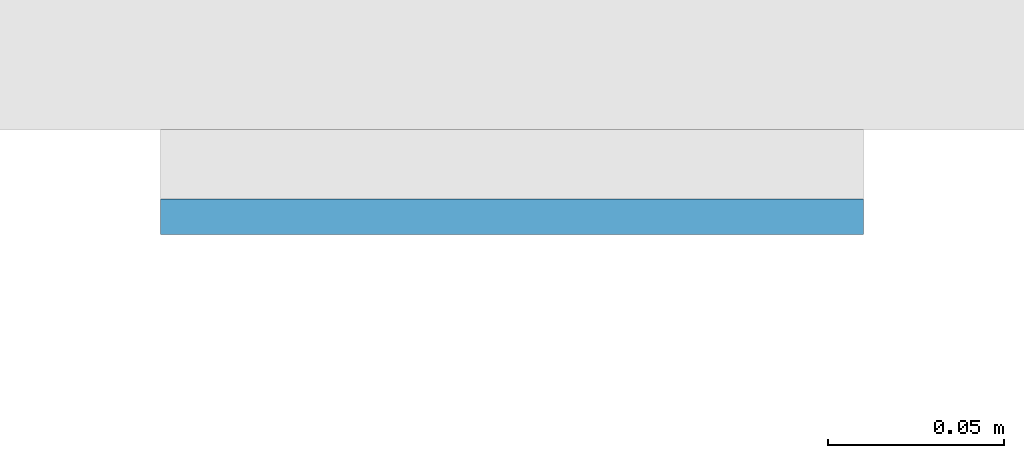
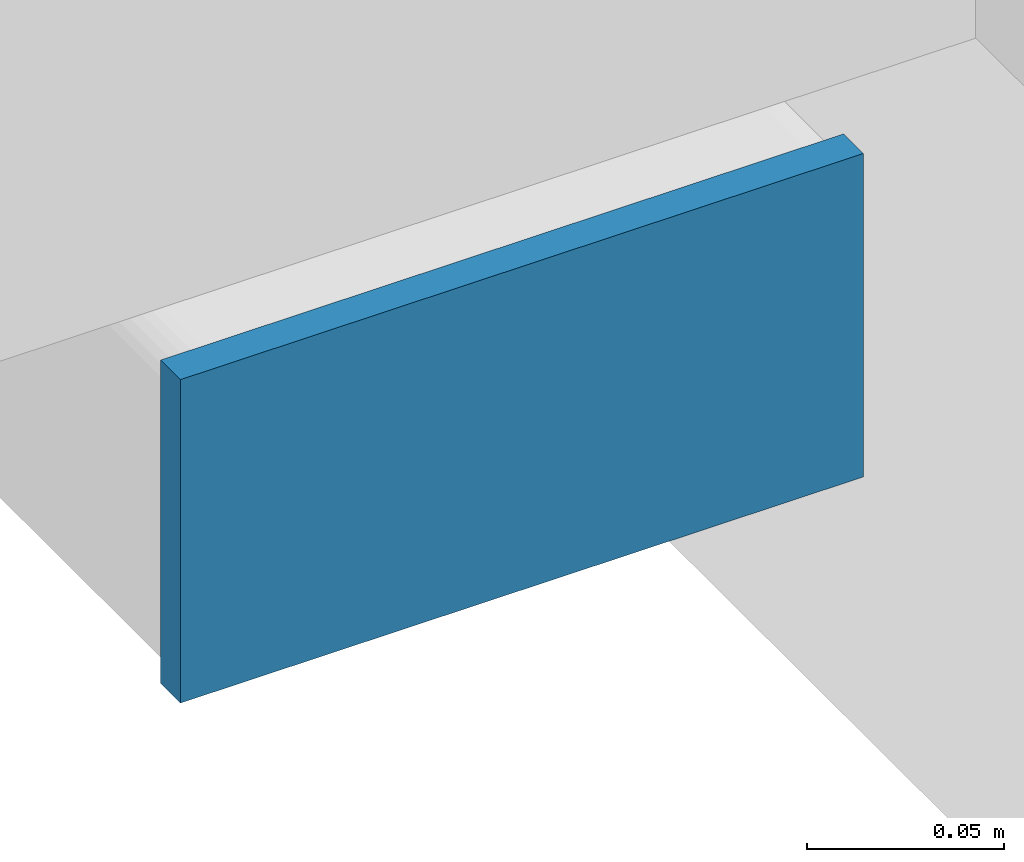
# One storey, part 8 of 20: 1 plate.
"""IFC4 building model written with IfcOpenShell, lengths in metres."""

from ifc_helpers import new_model, si_unit, direction, frame, origin, origin_2d, place, context, subcontext, project, spatial, rectangle, extrude, material, layer, layer_set, type_object, element, save


model = new_model("IFC4")

# Units and contexts
model_context = context("Model", 3, precision=1e-05, world=origin(), true_north=direction((0.0, 1.0)))
body_context = subcontext(model_context, "Body", "Model", "MODEL_VIEW")
ifc_project = project(units=[si_unit("LENGTHUNIT", "METRE"), si_unit("AREAUNIT", "SQUARE_METRE"), si_unit("VOLUMEUNIT", "CUBIC_METRE"), si_unit("PLANEANGLEUNIT", "RADIAN"), si_unit("MASSUNIT", "GRAM", prefix="KILO")], contexts=[model_context])

# Site, building, storey
site_placement = place(None, origin())
site = spatial("IfcSite", under=ifc_project, at=site_placement, CompositionType="ELEMENT")
building_placement = place(site_placement, origin())
building = spatial("IfcBuilding", under=site, at=building_placement, Name="Cleftline Residences", CompositionType="ELEMENT")
storey_placement = place(building_placement, frame((0.0, 0.0, 36.800048828125)))
storey = spatial("IfcBuildingStorey", under=building, at=storey_placement, Name="L08", CompositionType="ELEMENT", Elevation=36.800048828125)

# Plate
ifc_material = material(Name="Steel S355, hot-dip galvanised", Category="steel")
ifc_layer = layer(ifc_material, 0.010009765625)
ifc_layer_set = layer_set([ifc_layer], Name="BAGUETTE CARRIER END PLATE 200X100X10")
plate_type = type_object("IfcPlateType", Name="BAGUETTE CARRIER END PLATE 200X100X10", PredefinedType="USERDEFINED", material=ifc_layer_set)
plate_placement = place(storey_placement, frame((-0.85009765625, 3.695068359375, -0.10009765625), z_axis=(0.0, 0.0, 1.0), x_axis=(-1.0, 0.0, 0.0)))
element("IfcPlate", 1, at=plate_placement, inside=storey, type_object=plate_type, Name="Baguette carrier end plate", ObjectType="BAGUETTE CARRIER END PLATE", PredefinedType="USERDEFINED", context=body_context, shape_type="SweptSolid", body=[
    extrude(rectangle(XDim=0.199951171875, YDim=0.010009765625, at=origin_2d()), origin(), (0.0, 0.0, 1.0), 0.10009765625),
])

save(model, "model.ifc")
